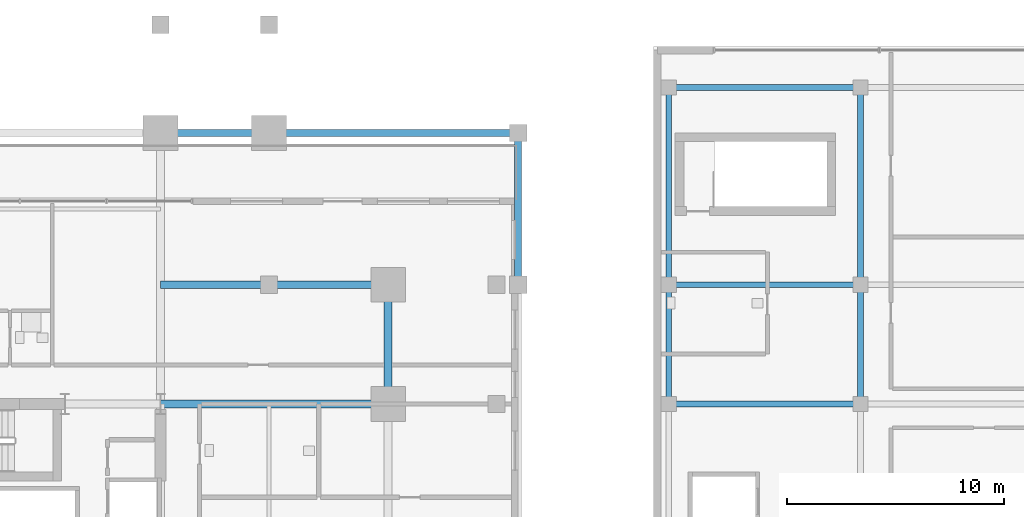
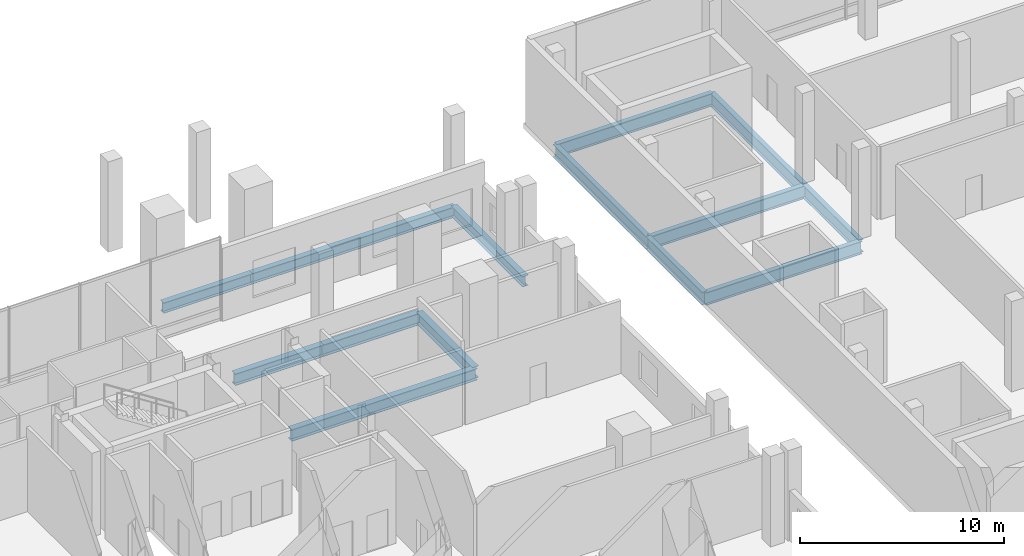
# One storey, part 11 of 25: 14 beams.
"""IFC4 building model written with IfcOpenShell, lengths in metres."""

from ifc_helpers import new_model, si_unit, direction, frame, origin, origin_2d, place, context, subcontext, project, spatial, i_section, extrude, material, material_profile, profile_set, type_object, element, save


model = new_model("IFC4")

# Units and contexts
model_context = context("Model", 3, precision=1e-05, world=origin(), true_north=direction((0.0, 1.0)))
body_context = subcontext(model_context, "Body", "Model", "MODEL_VIEW")
ifc_project = project(units=[si_unit("LENGTHUNIT", "METRE"), si_unit("AREAUNIT", "SQUARE_METRE"), si_unit("VOLUMEUNIT", "CUBIC_METRE"), si_unit("PLANEANGLEUNIT", "RADIAN"), si_unit("MASSUNIT", "GRAM", prefix="KILO")], contexts=[model_context])

# Site, building, storey
site_placement = place(None, origin())
site = spatial("IfcSite", under=ifc_project, at=site_placement, CompositionType="ELEMENT")
building_placement = place(site_placement, origin())
building = spatial("IfcBuilding", under=site, at=building_placement, Name="Barlavira Tower and Art Museum", CompositionType="ELEMENT")
storey_placement = place(building_placement, frame((0.0, 0.0, 22.199951171875)))
storey = spatial("IfcBuildingStorey", under=building, at=storey_placement, Name="L04", CompositionType="ELEMENT", Elevation=22.199951171875)

# Beams
ifc_material = material(Name="Steel S355", Category="steel")
ifc_material_profile_1 = material_profile(ifc_material, i_section(OverallWidth=0.26904296875, OverallDepth=0.76806640625, WebThickness=0.016845703125, FlangeThickness=0.026611328125, at=origin_2d()), Name="W760x220.0")
ifc_profile_set_1 = profile_set([ifc_material_profile_1], Name="Steel S355")
beam_type_1 = type_object("IfcBeamType", Name="Museum Long-Span Gallery Girder W760x220 Steel S355", PredefinedType="BEAM", material=ifc_profile_set_1)
beam_1_placement = place(storey_placement, frame((29.949951171875, 7.5, -0.703857421875), z_axis=(0.0, 1.0, 0.0), x_axis=(-1.0, 0.0, 0.0)))
element("IfcBeam", 1, at=beam_1_placement, inside=storey, type_object=beam_type_1, Name="L04 Museum Girder Y 1-4", PredefinedType="BEAM", context=body_context, shape_type="SweptSolid", body=[
    extrude(i_section(OverallWidth=0.26904296875, OverallDepth=0.76806640625, WebThickness=0.016845703125, FlangeThickness=0.026611328125, at=origin_2d()), origin(), (0.0, 0.0, 1.0), 5.5),
])
beam_2_placement = place(storey_placement, frame((29.949951171875, 13.0, -0.703857421875), z_axis=(0.0, 1.0, 0.0), x_axis=(-1.0, 0.0, 0.0)))
element("IfcBeam", 2, at=beam_2_placement, inside=storey, type_object=beam_type_1, Name="L04 Museum Girder Y 1-5", PredefinedType="BEAM", context=body_context, shape_type="SweptSolid", body=[
    extrude(i_section(OverallWidth=0.26904296875, OverallDepth=0.76806640625, WebThickness=0.016845703125, FlangeThickness=0.026611328125, at=origin_2d()), origin(), (0.0, 0.0, 1.0), 9.10009765625),
])
beam_3_placement = place(storey_placement, frame((38.800048828125, 7.5, -0.703857421875), z_axis=(0.0, 1.0, 0.0), x_axis=(-1.0, 0.0, 0.0)))
element("IfcBeam", 3, at=beam_3_placement, inside=storey, type_object=beam_type_1, Name="L04 Museum Girder Y 2-4", PredefinedType="BEAM", context=body_context, shape_type="SweptSolid", body=[
    extrude(i_section(OverallWidth=0.26904296875, OverallDepth=0.76806640625, WebThickness=0.016845703125, FlangeThickness=0.026611328125, at=origin_2d()), origin(), (0.0, 0.0, 1.0), 5.5),
])
beam_4_placement = place(storey_placement, frame((38.800048828125, 13.0, -0.703857421875), z_axis=(0.0, 1.0, 0.0), x_axis=(-1.0, 0.0, 0.0)))
element("IfcBeam", 4, at=beam_4_placement, inside=storey, type_object=beam_type_1, Name="L04 Museum Girder Y 2-5", PredefinedType="BEAM", context=body_context, shape_type="SweptSolid", body=[
    extrude(i_section(OverallWidth=0.26904296875, OverallDepth=0.76806640625, WebThickness=0.016845703125, FlangeThickness=0.026611328125, at=origin_2d()), origin(), (0.0, 0.0, 1.0), 9.10009765625),
])
for number, where, z_axis, x_axis, name in (
    (5, (29.949951171875, 7.5, -0.703857421875), (1.0, 0.0, 0.0), (0.0, 1.0, 0.0), "L04 Museum Girder X 4-1"),
    (6, (29.949951171875, 13.0, -0.703857421875), (1.0, 0.0, 0.0), (0.0, 1.0, 0.0), "L04 Museum Girder X 5-1"),
    (7, (29.949951171875, 22.10009765625, -0.703857421875), (1.0, 0.0, 0.0), (0.0, 1.0, 0.0), "L04 Museum Girder X 6-1"),
):
    element("IfcBeam", number, at=place(storey_placement, frame(where, z_axis=z_axis, x_axis=x_axis)), inside=storey, type_object=beam_type_1, Name=name, PredefinedType="BEAM", context=body_context, shape_type="SweptSolid", body=[
        extrude(i_section(OverallWidth=0.26904296875, OverallDepth=0.76806640625, WebThickness=0.016845703125, FlangeThickness=0.026611328125, at=origin_2d()), origin(), (0.0, 0.0, 1.0), 8.85009765625),
    ])
ifc_material_profile_2 = material_profile(ifc_material, i_section(OverallWidth=0.327880859375, OverallDepth=0.62890625, WebThickness=0.013916015625, FlangeThickness=0.021484375, at=origin_2d()), Name="W610x174.0")
ifc_profile_set_2 = profile_set([ifc_material_profile_2], Name="Steel S355")
beam_type_2 = type_object("IfcBeamType", Name="Perimeter Spandrel Edge Beam W610x174 Steel S355", PredefinedType="SPANDREL", material=ifc_profile_set_2)
beam_5_placement = place(storey_placement, frame((6.5, 20.0, -0.594482421875), z_axis=(1.0, 0.0, 0.0), x_axis=(0.0, 1.0, 0.0)))
element("IfcBeam", 8, at=beam_5_placement, inside=storey, type_object=beam_type_2, Name="L04 Podium Spandrel PN4", PredefinedType="SPANDREL", context=body_context, shape_type="SweptSolid", body=[
    extrude(i_section(OverallWidth=0.327880859375, OverallDepth=0.62890625, WebThickness=0.013916015625, FlangeThickness=0.021484375, at=origin_2d()), origin(), (0.0, 0.0, 1.0), 5.0),
])
beam_6_placement = place(storey_placement, frame((11.5, 20.0, -0.594482421875), z_axis=(1.0, 0.0, 0.0), x_axis=(0.0, 1.0, 0.0)))
element("IfcBeam", 9, at=beam_6_placement, inside=storey, type_object=beam_type_2, Name="L04 Podium Spandrel PN5", PredefinedType="SPANDREL", context=body_context, shape_type="SweptSolid", body=[
    extrude(i_section(OverallWidth=0.327880859375, OverallDepth=0.62890625, WebThickness=0.013916015625, FlangeThickness=0.021484375, at=origin_2d()), origin(), (0.0, 0.0, 1.0), 11.5),
])
beam_7_placement = place(storey_placement, frame((23.0, 13.0, -0.594482421875), z_axis=(0.0, 1.0, 0.0), x_axis=(-1.0, 0.0, 0.0)))
element("IfcBeam", 10, at=beam_7_placement, inside=storey, type_object=beam_type_2, Name="L04 Podium Spandrel PE3", PredefinedType="SPANDREL", context=body_context, shape_type="SweptSolid", body=[
    extrude(i_section(OverallWidth=0.327880859375, OverallDepth=0.62890625, WebThickness=0.013916015625, FlangeThickness=0.021484375, at=origin_2d()), origin(), (0.0, 0.0, 1.0), 7.0),
])
ifc_material_profile_3 = material_profile(ifc_material, i_section(OverallWidth=0.35595703125, OverallDepth=0.695068359375, WebThickness=0.014892578125, FlangeThickness=0.023681640625, at=origin_2d()), Name="W690x192.0")
ifc_profile_set_3 = profile_set([ifc_material_profile_3], Name="Steel S355")
beam_type_3 = type_object("IfcBeamType", Name="Podium Primary Girder W690x192 Steel S355", PredefinedType="BEAM", material=ifc_profile_set_3)
beam_8_placement = place(storey_placement, frame((17.0, 7.5, -0.62744140625), z_axis=(0.0, 1.0, 0.0), x_axis=(-1.0, 0.0, 0.0)))
element("IfcBeam", 11, at=beam_8_placement, inside=storey, type_object=beam_type_3, Name="L04 Girder M-E3", PredefinedType="BEAM", context=body_context, shape_type="SweptSolid", body=[
    extrude(i_section(OverallWidth=0.35595703125, OverallDepth=0.695068359375, WebThickness=0.014892578125, FlangeThickness=0.023681640625, at=origin_2d()), origin(), (0.0, 0.0, 1.0), 5.5),
])
beam_9_placement = place(storey_placement, frame((6.5, 7.5, -0.62744140625), z_axis=(1.0, 0.0, 0.0), x_axis=(0.0, 1.0, 0.0)))
element("IfcBeam", 12, at=beam_9_placement, inside=storey, type_object=beam_type_3, Name="L04 Girder R-E2", PredefinedType="BEAM", context=body_context, shape_type="SweptSolid", body=[
    extrude(i_section(OverallWidth=0.35595703125, OverallDepth=0.695068359375, WebThickness=0.014892578125, FlangeThickness=0.023681640625, at=origin_2d()), origin(), (0.0, 0.0, 1.0), 10.5),
])
beam_10_placement = place(storey_placement, frame((6.5, 13.0, -0.62744140625), z_axis=(1.0, 0.0, 0.0), x_axis=(0.0, 1.0, 0.0)))
element("IfcBeam", 13, at=beam_10_placement, inside=storey, type_object=beam_type_3, Name="L04 Girder I-N3", PredefinedType="BEAM", context=body_context, shape_type="SweptSolid", body=[
    extrude(i_section(OverallWidth=0.35595703125, OverallDepth=0.695068359375, WebThickness=0.014892578125, FlangeThickness=0.023681640625, at=origin_2d()), origin(), (0.0, 0.0, 1.0), 5.0),
])
beam_11_placement = place(storey_placement, frame((11.5, 13.0, -0.62744140625), z_axis=(1.0, 0.0, 0.0), x_axis=(0.0, 1.0, 0.0)))
element("IfcBeam", 14, at=beam_11_placement, inside=storey, type_object=beam_type_3, Name="L04 Girder I-N4", PredefinedType="BEAM", context=body_context, shape_type="SweptSolid", body=[
    extrude(i_section(OverallWidth=0.35595703125, OverallDepth=0.695068359375, WebThickness=0.014892578125, FlangeThickness=0.023681640625, at=origin_2d()), origin(), (0.0, 0.0, 1.0), 5.5),
])

save(model, "model.ifc")
